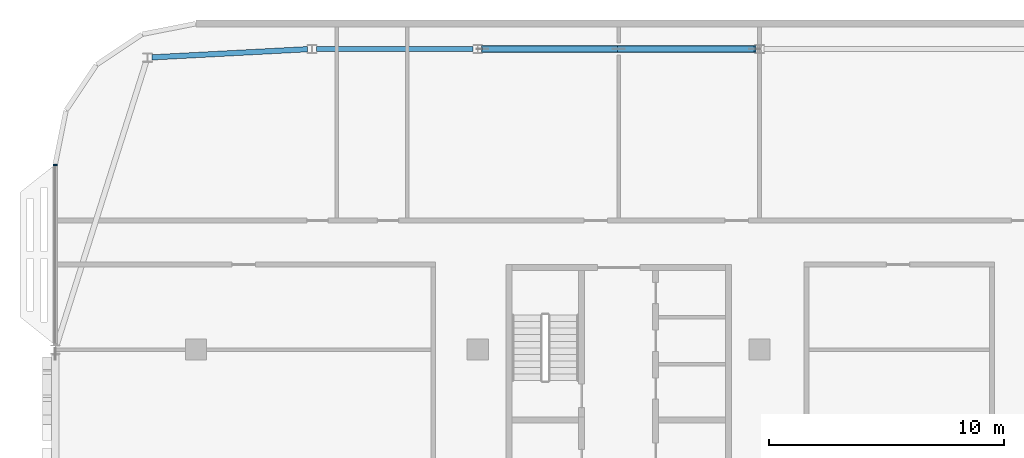
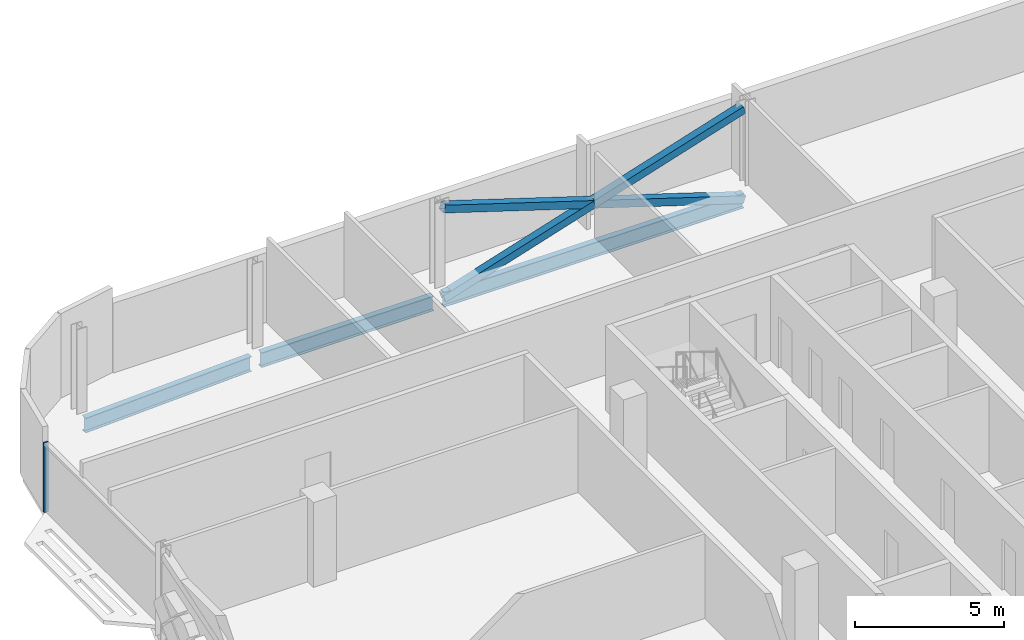
# One storey, part 8 of 28: 4 members, 3 beams, 1 element without a shape of its own.
"""IFC4 building model written with IfcOpenShell, lengths in metres."""

from ifc_helpers import new_model, si_unit, direction, frame, origin, origin_2d, place, context, subcontext, project, spatial, rectangle, hollow_rectangle, i_section, extrude, material, material_profile, profile_set, type_object, element, aggregate, save


model = new_model("IFC4")

# Units and contexts
model_context = context("Model", 3, precision=1e-05, world=origin(), true_north=direction((0.0, 1.0)))
body_context = subcontext(model_context, "Body", "Model", "MODEL_VIEW")
ifc_project = project(units=[si_unit("LENGTHUNIT", "METRE"), si_unit("AREAUNIT", "SQUARE_METRE"), si_unit("VOLUMEUNIT", "CUBIC_METRE"), si_unit("PLANEANGLEUNIT", "RADIAN"), si_unit("MASSUNIT", "GRAM", prefix="KILO")], contexts=[model_context])

# Site, building, storey
site_placement = place(None, origin())
site = spatial("IfcSite", under=ifc_project, at=site_placement, CompositionType="ELEMENT")
building_placement = place(site_placement, origin())
building = spatial("IfcBuilding", under=site, at=building_placement, Name="Mahtab Terrace Research Tower", CompositionType="ELEMENT")
storey_placement = place(building_placement, frame((0.0, 0.0, 270.89990234375)))
storey = spatial("IfcBuildingStorey", under=building, at=storey_placement, Name="L66", CompositionType="ELEMENT", Elevation=270.89990234375)

# Members
ifc_material_1 = material(Name="Steel ASTM A500 Gr C", Category="steel")
ifc_material_profile_1 = material_profile(ifc_material_1, hollow_rectangle(XDim=0.3046875, YDim=0.3046875, WallThickness=0.015869140625, at=origin_2d()), Name="HSS12X12X5/8")
ifc_profile_set_1 = profile_set([ifc_material_profile_1], Name="Steel ASTM A500 Gr C")
member_type_1 = type_object("IfcMemberType", Name="HSS 12x12x5/8 brace XB121258", PredefinedType="BRACE", material=ifc_profile_set_1)
member_1_placement = place(storey_placement, frame((-18.19677734375, 24.306884765625, -0.5810546875), z_axis=(-0.953344149173, 0.0, 0.301885629399), x_axis=(0.0, -1.0, 0.0)))
element("IfcMember", 1, at=member_1_placement, inside=storey, type_object=member_type_1, Name="Exoskeleton brace L66 07 a", PredefinedType="BRACE", context=body_context, shape_type="SweptSolid", body=[
    extrude(hollow_rectangle(XDim=0.3046875, YDim=0.3046875, WallThickness=0.015869140625, at=origin_2d()), origin(), (0.0, 0.0, 1.0), 12.174560546875),
])
for number, where, z_axis, x_axis, name in (
    (2, (-29.80322265625, 24.306884765625, -0.5810546875), (0.953344149173, 0.0, 0.301885629399), (0.0, 1.0, 0.0), "Exoskeleton brace L66 07 b1"),
    (3, (-24.0, 24.306884765625, 1.256591796875), (0.953344149173, 0.0, 0.301885629399), (0.0, 1.0, 0.0), "Exoskeleton brace L66 07 b2"),
):
    element("IfcMember", number, at=place(storey_placement, frame(where, z_axis=z_axis, x_axis=x_axis)), inside=storey, type_object=member_type_1, Name=name, PredefinedType="BRACE", context=body_context, shape_type="SweptSolid", body=[
        extrude(hollow_rectangle(XDim=0.3046875, YDim=0.3046875, WallThickness=0.015869140625, at=origin_2d()), origin(), (0.0, 0.0, 1.0), 6.087158203125),
    ])

# Curtain wall, member
ifc_material_2 = material(Name="Office ribbon curtain wall")
curtain_wall_type = type_object("IfcCurtainWallType", Name="Office ribbon curtain wall", PredefinedType="NOTDEFINED", material=ifc_material_2)
curtain_wall_placement = place(storey_placement, origin())
curtain_wall = element("IfcCurtainWall", 4, at=curtain_wall_placement, inside=storey, type_object=curtain_wall_type, Name="EN.L66.8.8", PredefinedType="NOTDEFINED")
ifc_material_3 = material(Name="Natural anodised aluminium", Category="aluminium")
ifc_material_profile_2 = material_profile(ifc_material_3, rectangle(XDim=0.179931640625, YDim=0.06005859375, at=origin_2d()), Name="MULLION 60x180")
ifc_profile_set_2 = profile_set([ifc_material_profile_2], Name="Natural anodised aluminium")
member_type_2 = type_object("IfcMemberType", Name="Office ribbon curtain wall mullion", PredefinedType="MULLION", material=ifc_profile_set_2)
member_2_placement = place(storey_placement, frame((-48.0, 19.360107421875, 0.0), z_axis=(0.0, 0.0, 1.0), x_axis=(1.0, 0.0, 0.0)))
member_2 = element("IfcMember", 5, at=member_2_placement, type_object=member_type_2, Name="CWO-8 mullion 1", PredefinedType="MULLION", context=body_context, shape_type="SweptSolid", body=[
    extrude(rectangle(XDim=0.179931640625, YDim=0.06005859375, at=origin_2d()), origin(), (0.0, 0.0, 1.0), 2.85302734375),
])
aggregate(curtain_wall, [member_2])

# Beams
ifc_material_4 = material(Name="Steel ASTM A992 Gr 50", Category="steel")
ifc_material_profile_3 = material_profile(ifc_material_4, i_section(OverallWidth=0.228271484375, OverallDepth=0.607177734375, WebThickness=0.01123046875, FlangeThickness=0.017333984375, at=origin_2d()), Name="W24X76")
ifc_profile_set_3 = profile_set([ifc_material_profile_3], Name="Steel ASTM A992 Gr 50")
beam_type = type_object("IfcBeamType", Name="W24x76 beam BS2476", PredefinedType="BEAM", material=ifc_profile_set_3)
beam_1_placement = place(storey_placement, frame((-18.19677734375, 24.306884765625, -0.6435546875), z_axis=(-1.0, 0.0, 0.0), x_axis=(0.0, -1.0, 0.0)))
element("IfcBeam", 6, at=beam_1_placement, inside=storey, type_object=beam_type, Name="Spandrel beam L66 07", PredefinedType="BEAM", context=body_context, shape_type="SweptSolid", body=[
    extrude(i_section(OverallWidth=0.228271484375, OverallDepth=0.607177734375, WebThickness=0.01123046875, FlangeThickness=0.017333984375, at=origin_2d()), origin(), (0.0, 0.0, 1.0), 11.6064453125),
])
beam_2_placement = place(storey_placement, frame((-30.19677734375, 24.306884765625, -0.6435546875), z_axis=(-1.0, 0.0, 0.0), x_axis=(0.0, -1.0, 0.0)))
element("IfcBeam", 7, at=beam_2_placement, inside=storey, type_object=beam_type, Name="Spandrel beam L66 08", PredefinedType="BEAM", context=body_context, shape_type="SweptSolid", body=[
    extrude(i_section(OverallWidth=0.228271484375, OverallDepth=0.607177734375, WebThickness=0.01123046875, FlangeThickness=0.017333984375, at=origin_2d()), origin(), (0.0, 0.0, 1.0), 6.664306640625),
])
beam_3_placement = place(storey_placement, frame((-37.2548828125, 24.296630859375, -0.6435546875), z_axis=(-0.998610495128, -0.052697998249, 0.0), x_axis=(0.052697998249, -0.998610495128, 0.0)))
element("IfcBeam", 8, at=beam_3_placement, inside=storey, type_object=beam_type, Name="Spandrel beam L66 09", PredefinedType="BEAM", context=body_context, shape_type="SweptSolid", body=[
    extrude(i_section(OverallWidth=0.228271484375, OverallDepth=0.607177734375, WebThickness=0.01123046875, FlangeThickness=0.017333984375, at=origin_2d()), origin(), (0.0, 0.0, 1.0), 6.629638671875),
])

save(model, "model.ifc")
